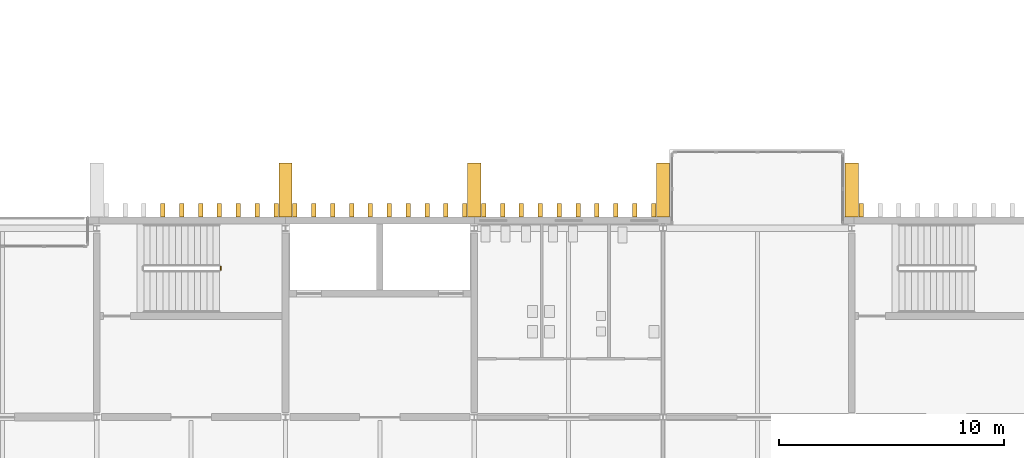
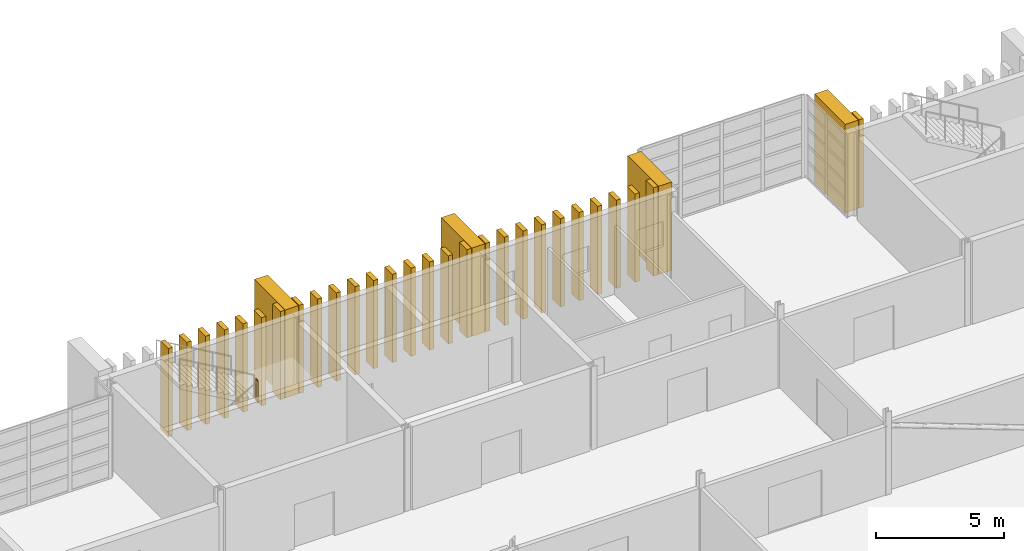
# One storey, part 82 of 88: 32 coverings, 1 railing.
"""IFC4 building model written with IfcOpenShell, lengths in metres."""

from ifc_helpers import new_model, si_unit, direction, frame, origin, origin_2d, place, context, subcontext, project, spatial, rectangle, circle, extrude, material, type_object, element, save


model = new_model("IFC4")

# Units and contexts
model_context = context("Model", 3, precision=1e-05, world=origin(), true_north=direction((0.0, 1.0)))
body_context = subcontext(model_context, "Body", "Model", "MODEL_VIEW")
ifc_project = project(units=[si_unit("LENGTHUNIT", "METRE"), si_unit("AREAUNIT", "SQUARE_METRE"), si_unit("VOLUMEUNIT", "CUBIC_METRE"), si_unit("PLANEANGLEUNIT", "RADIAN"), si_unit("MASSUNIT", "GRAM", prefix="KILO")], contexts=[model_context])

# Site, building, storey
site_placement = place(None, origin())
site = spatial("IfcSite", under=ifc_project, at=site_placement, CompositionType="ELEMENT")
building_placement = place(site_placement, origin())
building = spatial("IfcBuilding", under=site, at=building_placement, Name="Cresset Court Congress Hotel", CompositionType="ELEMENT")
storey_placement = place(building_placement, frame((0.0, 0.0, 14.39990234375)))
storey = spatial("IfcBuildingStorey", under=building, at=storey_placement, Name="L03", CompositionType="ELEMENT", Elevation=14.39990234375)

# Railing
ifc_material_1 = material(Name="Steel and laminated glass", Category="steel")
railing_type = type_object("IfcRailingType", Name="Guard 1100 steel and glass", PredefinedType="GUARDRAIL", material=ifc_material_1)
railing_placement = place(storey_placement, frame((106.31005859375, 23.35009765625, 2.10009765625)))
element("IfcRailing", 1, at=railing_placement, inside=storey, type_object=railing_type, Name="L03 ST-B4 stair guard 2", PredefinedType="GUARDRAIL", context=body_context, shape_type="SweptSolid", body=[
    extrude(circle(Radius=0.02392578125, at=origin_2d()), frame((0.0, 0.0, 1.076171875), z_axis=(0.0, 1.0, 0.0), x_axis=(-1.0, 0.0, 0.0)), (0.0, 0.0, 1.0), 0.14990234375),
    extrude(circle(Radius=0.02099609375, at=origin_2d()), origin(), (0.0, 0.0, 1.0), 1.052001953125),
    extrude(circle(Radius=0.02099609375, at=origin_2d()), frame((0.0, 0.14990234375, 0.0)), (0.0, 0.0, 1.0), 1.052001953125),
])

# Coverings
ifc_material_2 = material(Name="Precast concrete C50", Category="concrete")
covering_type_1 = type_object("IfcCoveringType", Name="Precast stone fin 200x600 variant 1", PredefinedType="CLADDING", material=ifc_material_2)
for number, where, z_axis, x_axis, name in (
    (2, (103.739990234375, 26.0, 0.0), (0.0, 0.0, 1.0), (1.0, 0.0, 0.0), "Fin N03-113"),
    (3, (104.580078125, 26.0, 0.0), (0.0, 0.0, 1.0), (1.0, 0.0, 0.0), "Fin N03-114"),
    (4, (105.419921875, 26.0, 0.0), (0.0, 0.0, 1.0), (1.0, 0.0, 0.0), "Fin N03-115"),
    (5, (106.260009765625, 26.0, 0.0), (0.0, 0.0, 1.0), (1.0, 0.0, 0.0), "Fin N03-116"),
    (6, (107.10009765625, 26.0, 0.0), (0.0, 0.0, 1.0), (1.0, 0.0, 0.0), "Fin N03-117"),
    (7, (107.93994140625, 26.0, 0.0), (0.0, 0.0, 1.0), (1.0, 0.0, 0.0), "Fin N03-118"),
    (8, (108.780029296875, 26.0, 0.0), (0.0, 0.0, 1.0), (1.0, 0.0, 0.0), "Fin N03-119"),
    (9, (109.6201171875, 26.0, 0.0), (0.0, 0.0, 1.0), (1.0, 0.0, 0.0), "Fin N03-120"),
    (10, (110.4599609375, 26.0, 0.0), (0.0, 0.0, 1.0), (1.0, 0.0, 0.0), "Fin N03-121"),
    (11, (111.300048828125, 26.0, 0.0), (0.0, 0.0, 1.0), (1.0, 0.0, 0.0), "Fin N03-122"),
    (12, (112.139892578125, 26.0, 0.0), (0.0, 0.0, 1.0), (1.0, 0.0, 0.0), "Fin N03-123"),
    (13, (112.97998046875, 26.0, 0.0), (0.0, 0.0, 1.0), (1.0, 0.0, 0.0), "Fin N03-124"),
    (14, (113.820068359375, 26.0, 0.0), (0.0, 0.0, 1.0), (1.0, 0.0, 0.0), "Fin N03-125"),
    (15, (114.659912109375, 26.0, 0.0), (0.0, 0.0, 1.0), (1.0, 0.0, 0.0), "Fin N03-126"),
    (16, (115.5, 26.0, 0.0), (0.0, 0.0, 1.0), (1.0, 0.0, 0.0), "Fin N03-127"),
    (17, (116.340087890625, 26.0, 0.0), (0.0, 0.0, 1.0), (1.0, 0.0, 0.0), "Fin N03-128"),
    (18, (117.179931640625, 26.0, 0.0), (0.0, 0.0, 1.0), (1.0, 0.0, 0.0), "Fin N03-129"),
    (19, (118.02001953125, 26.0, 0.0), (0.0, 0.0, 1.0), (1.0, 0.0, 0.0), "Fin N03-130"),
    (20, (118.860107421875, 26.0, 0.0), (0.0, 0.0, 1.0), (1.0, 0.0, 0.0), "Fin N03-131"),
    (21, (119.699951171875, 26.0, 0.0), (0.0, 0.0, 1.0), (1.0, 0.0, 0.0), "Fin N03-132"),
    (22, (120.5400390625, 26.0, 0.0), (0.0, 0.0, 1.0), (1.0, 0.0, 0.0), "Fin N03-133"),
    (23, (121.3798828125, 26.0, 0.0), (0.0, 0.0, 1.0), (1.0, 0.0, 0.0), "Fin N03-134"),
    (24, (122.219970703125, 26.0, 0.0), (0.0, 0.0, 1.0), (1.0, 0.0, 0.0), "Fin N03-135"),
    (25, (123.06005859375, 26.0, 0.0), (0.0, 0.0, 1.0), (1.0, 0.0, 0.0), "Fin N03-136"),
    (26, (123.89990234375, 26.0, 0.0), (0.0, 0.0, 1.0), (1.0, 0.0, 0.0), "Fin N03-137"),
    (27, (124.739990234375, 26.0, 0.0), (0.0, 0.0, 1.0), (1.0, 0.0, 0.0), "Fin N03-138"),
    (28, (125.580078125, 26.0, 0.0), (0.0, 0.0, 1.0), (1.0, 0.0, 0.0), "Fin N03-139"),
    (29, (134.820068359375, 26.0, 0.0), (0.0, 0.0, 1.0), (1.0, 0.0, 0.0), "Fin N03-150"),
):
    element("IfcCovering", number, at=place(storey_placement, frame(where, z_axis=z_axis, x_axis=x_axis)), inside=storey, type_object=covering_type_1, Name=name, PredefinedType="CLADDING", context=body_context, shape_type="SweptSolid", body=[
        extrude(rectangle(XDim=0.199951171875, YDim=0.60009765625, at=origin_2d()), origin(), (0.0, 0.0, 1.0), 4.199951171875),
    ])
ifc_material_3 = material(Name="Precast concrete C50", Category="concrete")
covering_type_2 = type_object("IfcCoveringType", Name="Precast stone pier 600x2400", PredefinedType="CLADDING", material=ifc_material_3)
for number, where, z_axis, x_axis, name in (
    (30, (109.199951171875, 26.89990234375, 0.0), (0.0, 0.0, 1.0), (1.0, 0.0, 0.0), "Pier N03-12"),
    (31, (117.60009765625, 26.89990234375, 0.0), (0.0, 0.0, 1.0), (1.0, 0.0, 0.0), "Pier N03-13"),
    (32, (126.0, 26.89990234375, 0.0), (0.0, 0.0, 1.0), (1.0, 0.0, 0.0), "Pier N03-14"),
    (33, (134.39990234375, 26.89990234375, 0.0), (0.0, 0.0, 1.0), (1.0, 0.0, 0.0), "Pier N03-15"),
):
    element("IfcCovering", number, at=place(storey_placement, frame(where, z_axis=z_axis, x_axis=x_axis)), inside=storey, type_object=covering_type_2, Name=name, PredefinedType="CLADDING", context=body_context, shape_type="SweptSolid", body=[
        extrude(rectangle(XDim=0.60009765625, YDim=2.39990234375, at=origin_2d()), origin(), (0.0, 0.0, 1.0), 4.199951171875),
    ])

save(model, "model.ifc")
